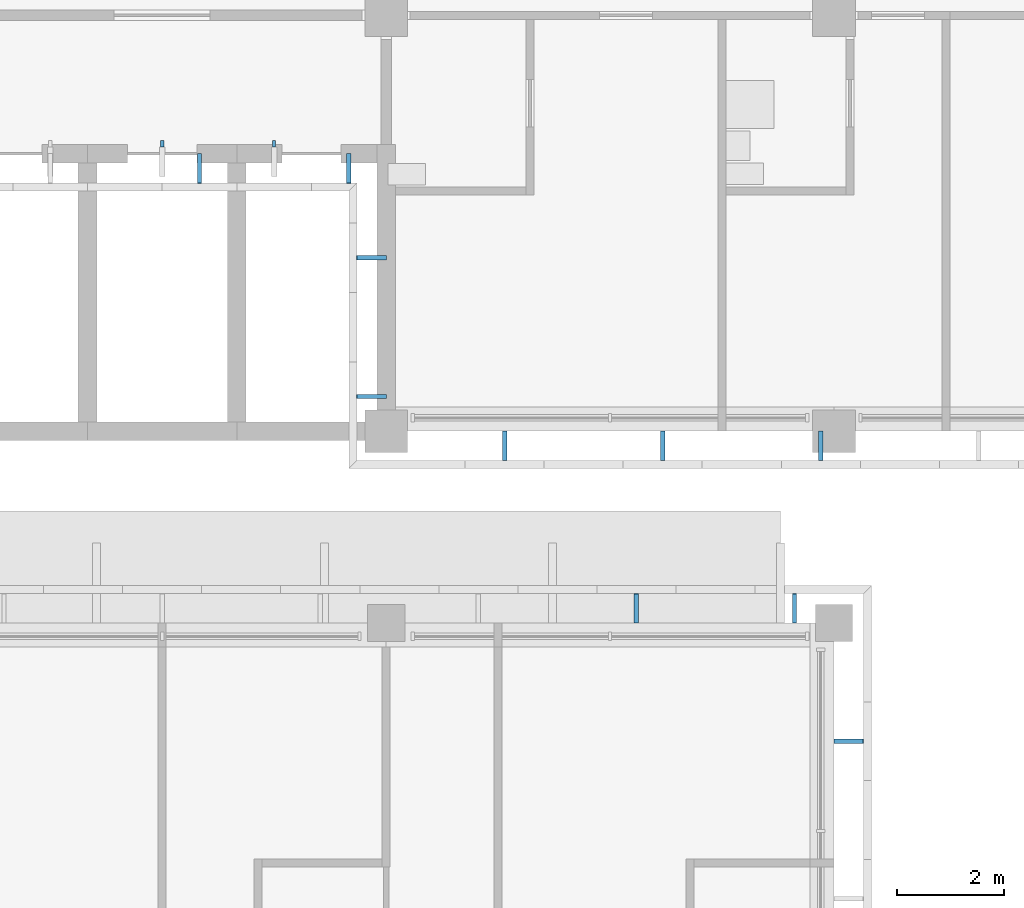
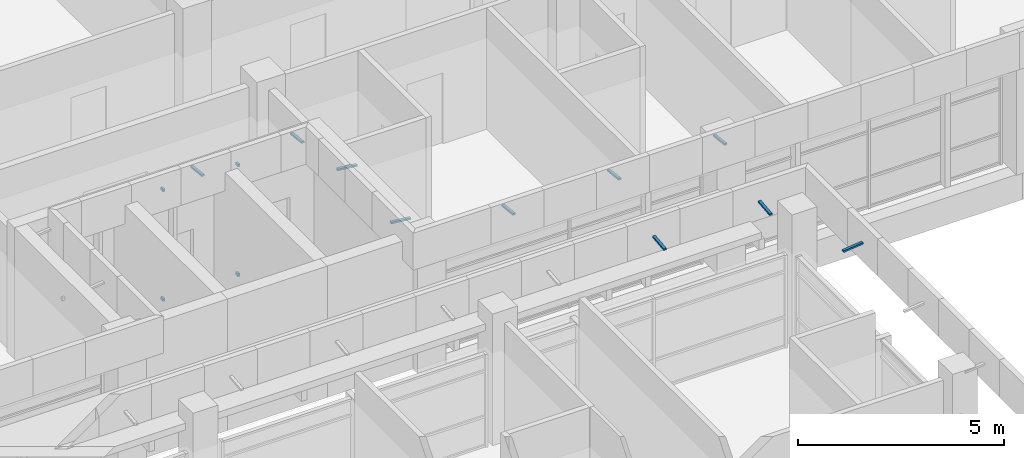
# One storey, part 56 of 71: 14 discrete accessories.
"""IFC4 building model written with IfcOpenShell, lengths in metres."""

from ifc_helpers import new_model, si_unit, direction, frame, origin, origin_2d, place, context, subcontext, project, spatial, rectangle, extrude, material, material_profile, profile_set, type_object, element, save


model = new_model("IFC4")

# Units and contexts
model_context = context("Model", 3, precision=1e-05, world=origin(), true_north=direction((0.0, 1.0)))
body_context = subcontext(model_context, "Body", "Model", "MODEL_VIEW")
ifc_project = project(units=[si_unit("LENGTHUNIT", "METRE"), si_unit("AREAUNIT", "SQUARE_METRE"), si_unit("VOLUMEUNIT", "CUBIC_METRE"), si_unit("PLANEANGLEUNIT", "RADIAN"), si_unit("MASSUNIT", "GRAM", prefix="KILO")], contexts=[model_context])

# Site, building, storey
site_placement = place(None, origin())
site = spatial("IfcSite", under=ifc_project, at=site_placement, CompositionType="ELEMENT")
building_placement = place(site_placement, origin())
building = spatial("IfcBuilding", under=site, at=building_placement, Name="Bougainvillea Quay General Hospital", CompositionType="ELEMENT")
storey_placement = place(building_placement, frame((0.0, 0.0, 24.89990234375)))
storey = spatial("IfcBuildingStorey", under=building, at=storey_placement, Name="L05", CompositionType="ELEMENT", Elevation=24.89990234375)

# Discrete accessories
ifc_material = material(Name="Stainless steel bracket, grade 316", Category="steel")
discrete_accessory_type_1 = type_object("IfcDiscreteAccessoryType", Name="Stainless steel fin arm 60x80", PredefinedType="BRACKET", material=ifc_material)
for number, where, z_axis, x_axis, name in (
    (1, (157.5, 145.7900390625, 0.0), (0.0, 0.0, 1.0), (0.0, -1.0, 0.0), "Fin arm V5A L05 08.1B"),
    (2, (157.5, 145.7900390625, 3.25), (0.0, 0.0, 1.0), (0.0, -1.0, 0.0), "Fin arm V5A L05 08.1T"),
    (3, (155.39990234375, 145.7900390625, 0.0), (0.0, 0.0, 1.0), (0.0, -1.0, 0.0), "Fin arm V5A L05 08.2B"),
    (4, (155.39990234375, 145.7900390625, 3.25), (0.0, 0.0, 1.0), (0.0, -1.0, 0.0), "Fin arm V5A L05 08.2T"),
):
    element("IfcDiscreteAccessory", number, at=place(storey_placement, frame(where, z_axis=z_axis, x_axis=x_axis)), inside=storey, type_object=discrete_accessory_type_1, Name=name, PredefinedType="BRACKET", context=body_context, shape_type="SweptSolid", body=[
        extrude(rectangle(XDim=0.1201171875, YDim=0.06005859375, at=origin_2d()), origin(), (0.0, 0.0, 1.0), 0.080078125),
    ])
ifc_material_profile = material_profile(ifc_material, rectangle(XDim=0.080078125, YDim=0.050048828125, at=origin_2d()))
ifc_profile_set = profile_set([ifc_material_profile], Name="Stainless steel bracket, grade 316")
discrete_accessory_type_2 = type_object("IfcDiscreteAccessoryType", Name="Stainless steel stand-off bracket 80x50", PredefinedType="BRACKET", material=ifc_profile_set)
for number, where, z_axis, x_axis, name in (
    (5, (156.10009765625, 145.60009765625, 3.840087890625), (0.0, -0.994091793559, 0.108542645901), (1.0, 0.0, 0.0), "Fascia bracket e0 199"),
    (6, (158.89990234375, 145.60009765625, 3.840087890625), (0.0, -0.994091793559, 0.108542645901), (1.0, 0.0, 0.0), "Fascia bracket e0 201"),
    (7, (159.60009765625, 143.64990234375, 3.840087890625), (-0.994091793559, 0.0, 0.108542645901), (0.0, -1.0, 0.0), "Fascia bracket e0 203"),
    (8, (159.60009765625, 141.050048828125, 3.840087890625), (-0.994091793559, 0.0, 0.108542645901), (0.0, -1.0, 0.0), "Fascia bracket e0 205"),
):
    element("IfcDiscreteAccessory", number, at=place(storey_placement, frame(where, z_axis=z_axis, x_axis=x_axis)), inside=storey, type_object=discrete_accessory_type_2, Name=name, PredefinedType="BRACKET", context=body_context, shape_type="SweptSolid", body=[
        extrude(rectangle(XDim=0.080078125, YDim=0.050048828125, at=origin_2d()), origin(), (0.0, 0.0, 1.0), 0.55322265625),
    ])
for number, where, z_axis, x_axis, name in (
    (9, (161.823486328125, 140.39990234375, 3.840087890625), (0.0, -0.994086591779, 0.108590276011), (1.0, 0.0, 0.0), "Fascia bracket e0 207"),
    (10, (164.788330078125, 140.39990234375, 3.840087890625), (0.0, -0.994086591779, 0.108590276011), (1.0, 0.0, 0.0), "Fascia bracket e0 209"),
    (11, (167.7529296875, 140.39990234375, 3.840087890625), (0.0, -0.994086591779, 0.108590276011), (1.0, 0.0, 0.0), "Fascia bracket e0 211"),
):
    element("IfcDiscreteAccessory", number, at=place(storey_placement, frame(where, z_axis=z_axis, x_axis=x_axis)), inside=storey, type_object=discrete_accessory_type_2, Name=name, PredefinedType="BRACKET", context=body_context, shape_type="SweptSolid", body=[
        extrude(rectangle(XDim=0.080078125, YDim=0.050048828125, at=origin_2d()), origin(), (0.0, 0.0, 1.0), 0.552978515625),
    ])
for number, where, z_axis, x_axis, name in (
    (12, (168.0, 134.584716796875, 3.840087890625), (0.994091793559, 0.0, 0.108542645901), (0.0, 1.0, 0.0), "Fascia bracket e0 109"),
    (13, (167.2587890625, 136.800048828125, 3.840087890625), (0.0, 0.994091793559, 0.108542645901), (-1.0, 0.0, 0.0), "Fascia bracket e0 111"),
    (14, (164.294189453125, 136.800048828125, 3.840087890625), (0.0, 0.994091793559, 0.108542645901), (-1.0, 0.0, 0.0), "Fascia bracket e0 113"),
):
    element("IfcDiscreteAccessory", number, at=place(storey_placement, frame(where, z_axis=z_axis, x_axis=x_axis)), inside=storey, type_object=discrete_accessory_type_2, Name=name, PredefinedType="BRACKET", context=body_context, shape_type="SweptSolid", body=[
        extrude(rectangle(XDim=0.080078125, YDim=0.050048828125, at=origin_2d()), origin(), (0.0, 0.0, 1.0), 0.55322265625),
    ])

save(model, "model.ifc")
